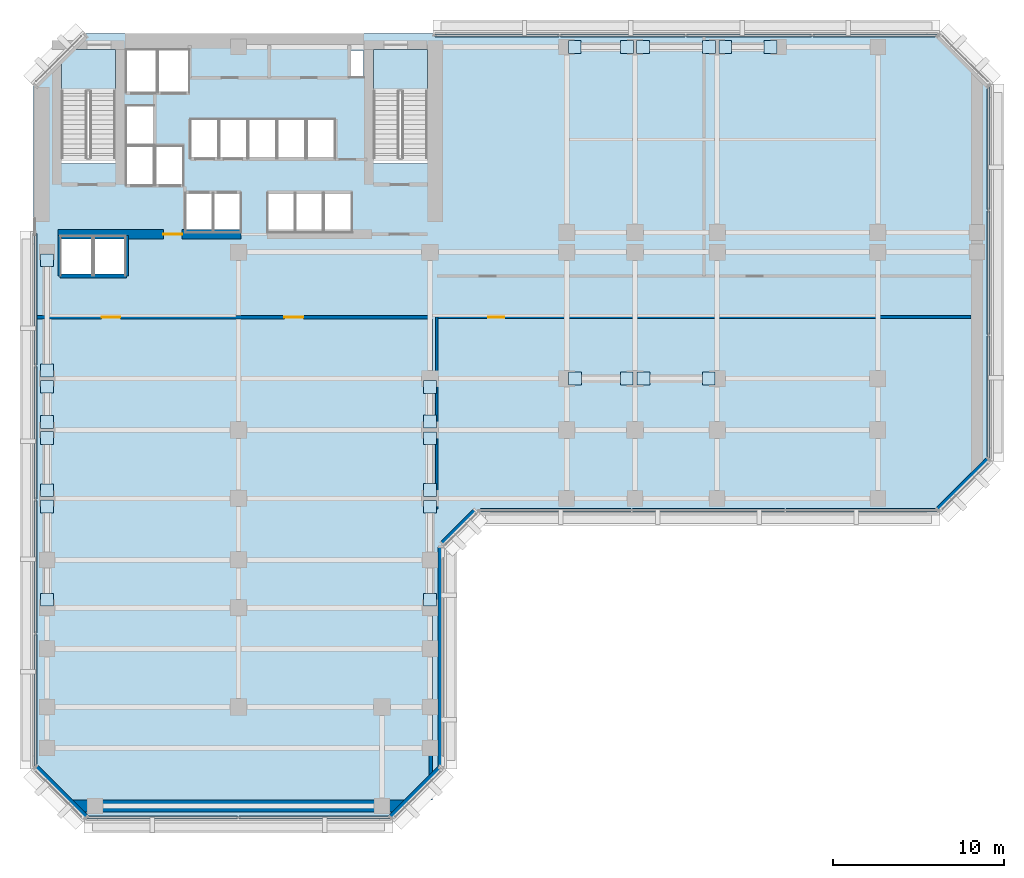
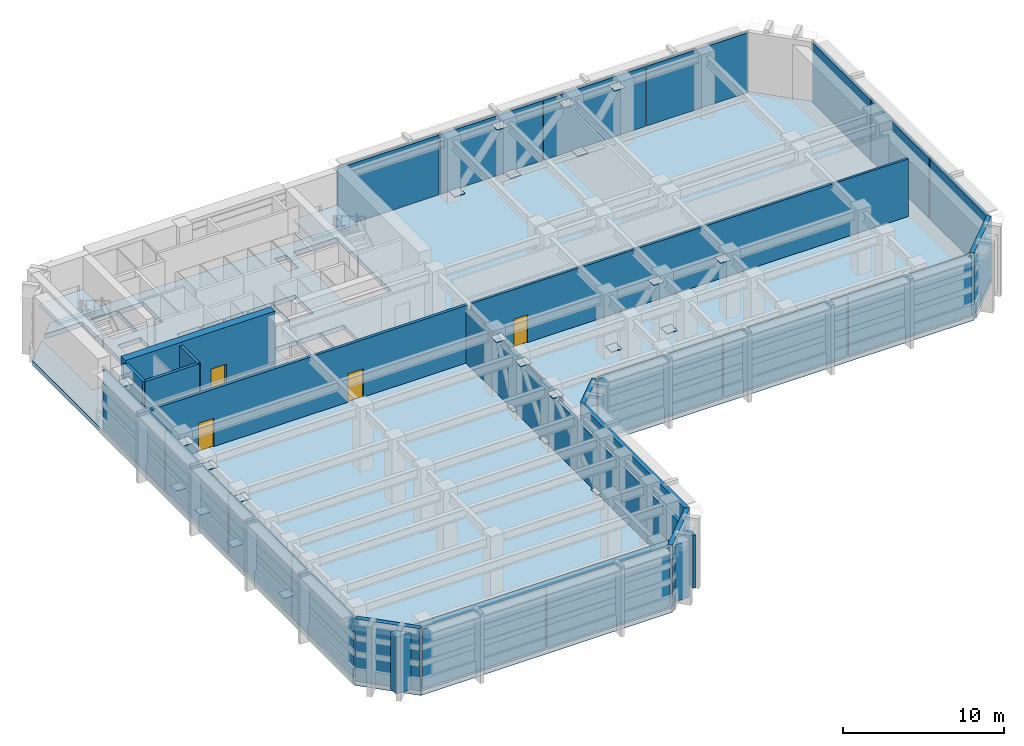
# One storey, part 6 of 13: 40 plates, 14 walls, 4 doors, 3 slabs, 4 openings, 7 elements without a shape of their own.
"""IFC4 building model written with IfcOpenShell, lengths in metres."""

from ifc_helpers import new_model, si_unit, direction, frame, frame_2d, origin, origin_2d, place, context, subcontext, project, spatial, polyline, rectangle, outline, extrude, material, layer, layer_set, type_object, element, fill, aggregate, save


model = new_model("IFC4")

# Units and contexts
model_context = context("Model", 3, precision=1e-05, world=origin(), true_north=direction((0.0, 1.0)))
body_context = subcontext(model_context, "Body", "Model", "MODEL_VIEW")
ifc_project = project(units=[si_unit("LENGTHUNIT", "METRE"), si_unit("AREAUNIT", "SQUARE_METRE"), si_unit("VOLUMEUNIT", "CUBIC_METRE"), si_unit("PLANEANGLEUNIT", "RADIAN"), si_unit("MASSUNIT", "GRAM", prefix="KILO")], contexts=[model_context])

# Site, building, storey
site_placement = place(None, origin())
site = spatial("IfcSite", under=ifc_project, at=site_placement, CompositionType="ELEMENT")
building_placement = place(site_placement, origin())
building = spatial("IfcBuilding", under=site, at=building_placement, Name="Kefirva Bronze Tower", CompositionType="ELEMENT")
storey_placement = place(building_placement, frame((0.0, 0.0, 93.719970703125)))
storey = spatial("IfcBuildingStorey", under=building, at=storey_placement, Name="L22", CompositionType="ELEMENT", Elevation=93.719970703125)

# Curtain wall, plates
ifc_material_1 = material(Name="Bronze anodised aluminium", Category="aluminium")
ifc_layer_1 = layer(ifc_material_1, 0.219970703125, Name="Bronze anodised aluminium")
ifc_layer_set_1 = layer_set([ifc_layer_1], Name="Bronze anodised aluminium")
curtain_wall_type = type_object("IfcCurtainWallType", Name="Refuge Acoustic Louvre Curtain Screen", PredefinedType="USERDEFINED", material=ifc_layer_set_1)
curtain_wall_1_placement = place(storey_placement, origin())
curtain_wall_1 = element("IfcCurtainWall", 1, at=curtain_wall_1_placement, inside=storey, type_object=curtain_wall_type, Name="L22 Curtain Wall 1", ObjectType="LOUVRE SCREEN WALL", PredefinedType="USERDEFINED")
ifc_layer_2 = layer(ifc_material_1, 0.179931640625, Name="Bronze anodised aluminium")
ifc_layer_set_2 = layer_set([ifc_layer_2], Name="Bronze anodised aluminium")
plate_type_1 = type_object("IfcPlateType", Name="Acoustic Weather Louvre Panel 180mm", PredefinedType="CURTAIN_PANEL", material=ifc_layer_set_2)
plate_1_placement = place(storey_placement, frame((7.550048828125, 0.1201171875, 0.090087890625), z_axis=(0.0, 0.0, 1.0), x_axis=(1.0, 0.0, 0.0)))
plate_1 = element("IfcPlate", 2, at=plate_1_placement, type_object=plate_type_1, Name="CW-06 panel 1.1", PredefinedType="CURTAIN_PANEL", context=body_context, shape_type="SweptSolid", body=[
    extrude(rectangle(XDim=8.81005859375, YDim=0.179931640625, at=origin_2d()), origin(), (0.0, 0.0, 1.0), 4.52001953125),
])
plate_2_placement = place(storey_placement, frame((16.449951171875, 0.1201171875, 0.090087890625), z_axis=(0.0, 0.0, 1.0), x_axis=(1.0, 0.0, 0.0)))
plate_2 = element("IfcPlate", 3, at=plate_2_placement, type_object=plate_type_1, Name="CW-06 panel 2.1", PredefinedType="CURTAIN_PANEL", context=body_context, shape_type="SweptSolid", body=[
    extrude(rectangle(XDim=8.81005859375, YDim=0.179931640625, at=origin_2d()), origin(), (0.0, 0.0, 1.0), 4.52001953125),
])
aggregate(curtain_wall_1, [plate_1, plate_2])

curtain_wall_2_placement = place(storey_placement, origin())
curtain_wall_2 = element("IfcCurtainWall", 4, at=curtain_wall_2_placement, inside=storey, type_object=curtain_wall_type, Name="L22 Curtain Wall 2", ObjectType="LOUVRE SCREEN WALL", PredefinedType="USERDEFINED")
plate_3_placement = place(storey_placement, frame((30.55908203125, 18.1201171875, 0.090087890625), z_axis=(0.0, 0.0, 1.0), x_axis=(1.0, 0.0, 0.0)))
plate_3 = element("IfcPlate", 5, at=plate_3_placement, type_object=plate_type_1, Name="CW-06 panel 1.1", PredefinedType="CURTAIN_PANEL", context=body_context, shape_type="SweptSolid", body=[
    extrude(rectangle(XDim=8.828369140625, YDim=0.179931640625, at=origin_2d()), origin(), (0.0, 0.0, 1.0), 4.52001953125),
])
plate_4_placement = place(storey_placement, frame((39.5, 18.1201171875, 0.090087890625), z_axis=(0.0, 0.0, 1.0), x_axis=(1.0, 0.0, 0.0)))
plate_4 = element("IfcPlate", 6, at=plate_4_placement, type_object=plate_type_1, Name="CW-06 panel 2.1", PredefinedType="CURTAIN_PANEL", context=body_context, shape_type="SweptSolid", body=[
    extrude(rectangle(XDim=8.873291015625, YDim=0.179931640625, at=origin_2d()), origin(), (0.0, 0.0, 1.0), 4.52001953125),
])
plate_5_placement = place(storey_placement, frame((48.44091796875, 18.1201171875, 0.090087890625), z_axis=(0.0, 0.0, 1.0), x_axis=(1.0, 0.0, 0.0)))
plate_5 = element("IfcPlate", 7, at=plate_5_placement, type_object=plate_type_1, Name="CW-06 panel 3.1", PredefinedType="CURTAIN_PANEL", context=body_context, shape_type="SweptSolid", body=[
    extrude(rectangle(XDim=8.828369140625, YDim=0.179931640625, at=origin_2d()), origin(), (0.0, 0.0, 1.0), 4.52001953125),
])
aggregate(curtain_wall_2, [plate_3, plate_4, plate_5])

curtain_wall_3_placement = place(storey_placement, origin())
curtain_wall_3 = element("IfcCurtainWall", 8, at=curtain_wall_3_placement, inside=storey, type_object=curtain_wall_type, Name="L22 Curtain Wall 3", ObjectType="LOUVRE SCREEN WALL", PredefinedType="USERDEFINED")
plate_6_placement = place(storey_placement, frame((55.8798828125, 24.725830078125, 0.090087890625), z_axis=(0.0, 0.0, 1.0), x_axis=(0.0, 1.0, 0.0)))
plate_6 = element("IfcPlate", 9, at=plate_6_placement, type_object=plate_type_1, Name="CW-06 panel 1.1", PredefinedType="CURTAIN_PANEL", context=body_context, shape_type="SweptSolid", body=[
    extrude(rectangle(XDim=7.16162109375, YDim=0.179931640625, at=origin_2d()), origin(), (0.0, 0.0, 1.0), 4.52001953125),
])
plate_7_placement = place(storey_placement, frame((55.8798828125, 32.0, 0.090087890625), z_axis=(0.0, 0.0, 1.0), x_axis=(0.0, 1.0, 0.0)))
plate_7 = element("IfcPlate", 10, at=plate_7_placement, type_object=plate_type_1, Name="CW-06 panel 2.1", PredefinedType="CURTAIN_PANEL", context=body_context, shape_type="SweptSolid", body=[
    extrude(rectangle(XDim=7.206787109375, YDim=0.179931640625, at=origin_2d()), origin(), (0.0, 0.0, 1.0), 4.52001953125),
])
plate_8_placement = place(storey_placement, frame((55.8798828125, 39.274169921875, 0.090087890625), z_axis=(0.0, 0.0, 1.0), x_axis=(0.0, 1.0, 0.0)))
plate_8 = element("IfcPlate", 11, at=plate_8_placement, type_object=plate_type_1, Name="CW-06 panel 3.1", PredefinedType="CURTAIN_PANEL", context=body_context, shape_type="SweptSolid", body=[
    extrude(rectangle(XDim=7.16162109375, YDim=0.179931640625, at=origin_2d()), origin(), (0.0, 0.0, 1.0), 4.52001953125),
])
aggregate(curtain_wall_3, [plate_6, plate_7, plate_8])

curtain_wall_4_placement = place(storey_placement, origin())
curtain_wall_4 = element("IfcCurtainWall", 12, at=curtain_wall_4_placement, inside=storey, type_object=curtain_wall_type, Name="L22 Curtain Wall 4", ObjectType="LOUVRE SCREEN WALL", PredefinedType="USERDEFINED")
plate_9_placement = place(storey_placement, frame((49.22998046875, 45.8798828125, 0.090087890625), z_axis=(0.0, 0.0, 1.0), x_axis=(-1.0, 0.0, 0.0)))
plate_9 = element("IfcPlate", 13, at=plate_9_placement, type_object=plate_type_1, Name="CW-06 panel 1.1", PredefinedType="CURTAIN_PANEL", context=body_context, shape_type="SweptSolid", body=[
    extrude(rectangle(XDim=7.25, YDim=0.179931640625, at=origin_2d()), origin(), (0.0, 0.0, 1.0), 4.52001953125),
])
plate_10_placement = place(storey_placement, frame((41.867431640625, 45.8798828125, 0.090087890625), z_axis=(0.0, 0.0, 1.0), x_axis=(-1.0, 0.0, 0.0)))
plate_10 = element("IfcPlate", 14, at=plate_10_placement, type_object=plate_type_1, Name="CW-06 panel 2.1", PredefinedType="CURTAIN_PANEL", context=body_context, shape_type="SweptSolid", body=[
    extrude(rectangle(XDim=7.294921875, YDim=0.179931640625, at=origin_2d()), origin(), (0.0, 0.0, 1.0), 4.52001953125),
])
plate_11_placement = place(storey_placement, frame((34.482421875, 45.8798828125, 0.090087890625), z_axis=(0.0, 0.0, 1.0), x_axis=(-1.0, 0.0, 0.0)))
plate_11 = element("IfcPlate", 15, at=plate_11_placement, type_object=plate_type_1, Name="CW-06 panel 3.1", PredefinedType="CURTAIN_PANEL", context=body_context, shape_type="SweptSolid", body=[
    extrude(rectangle(XDim=7.294921875, YDim=0.179931640625, at=origin_2d()), origin(), (0.0, 0.0, 1.0), 4.52001953125),
])
plate_12_placement = place(storey_placement, frame((27.1201171875, 45.8798828125, 0.090087890625), z_axis=(0.0, 0.0, 1.0), x_axis=(-1.0, 0.0, 0.0)))
plate_12 = element("IfcPlate", 16, at=plate_12_placement, type_object=plate_type_1, Name="CW-06 panel 4.1", PredefinedType="CURTAIN_PANEL", context=body_context, shape_type="SweptSolid", body=[
    extrude(rectangle(XDim=7.25, YDim=0.179931640625, at=origin_2d()), origin(), (0.0, 0.0, 1.0), 4.52001953125),
])
aggregate(curtain_wall_4, [plate_9, plate_10, plate_11, plate_12])

curtain_wall_5_placement = place(storey_placement, origin())
curtain_wall_5 = element("IfcCurtainWall", 17, at=curtain_wall_5_placement, inside=storey, type_object=curtain_wall_type, Name="L22 Curtain Wall 5", ObjectType="LOUVRE SCREEN WALL", PredefinedType="USERDEFINED")
plate_13_placement = place(storey_placement, frame((0.1201171875, 30.455078125, 0.090087890625), z_axis=(0.0, 0.0, 1.0), x_axis=(0.0, -1.0, 0.0)))
plate_13 = element("IfcPlate", 18, at=plate_13_placement, type_object=plate_type_1, Name="CW-06 panel 1.1", PredefinedType="CURTAIN_PANEL", context=body_context, shape_type="SweptSolid", body=[
    extrude(rectangle(XDim=7.699951171875, YDim=0.179931640625, at=origin_2d()), origin(), (0.0, 0.0, 1.0), 4.52001953125),
])
plate_14_placement = place(storey_placement, frame((0.1201171875, 22.642578125, 0.090087890625), z_axis=(0.0, 0.0, 1.0), x_axis=(0.0, -1.0, 0.0)))
plate_14 = element("IfcPlate", 19, at=plate_14_placement, type_object=plate_type_1, Name="CW-06 panel 2.1", PredefinedType="CURTAIN_PANEL", context=body_context, shape_type="SweptSolid", body=[
    extrude(rectangle(XDim=7.7451171875, YDim=0.179931640625, at=origin_2d()), origin(), (0.0, 0.0, 1.0), 4.52001953125),
])
plate_15_placement = place(storey_placement, frame((0.1201171875, 14.8076171875, 0.090087890625), z_axis=(0.0, 0.0, 1.0), x_axis=(0.0, -1.0, 0.0)))
plate_15 = element("IfcPlate", 20, at=plate_15_placement, type_object=plate_type_1, Name="CW-06 panel 3.1", PredefinedType="CURTAIN_PANEL", context=body_context, shape_type="SweptSolid", body=[
    extrude(rectangle(XDim=7.7451171875, YDim=0.179931640625, at=origin_2d()), origin(), (0.0, 0.0, 1.0), 4.52001953125),
])
plate_16_placement = place(storey_placement, frame((0.1201171875, 6.9951171875, 0.090087890625), z_axis=(0.0, 0.0, 1.0), x_axis=(0.0, -1.0, 0.0)))
plate_16 = element("IfcPlate", 21, at=plate_16_placement, type_object=plate_type_1, Name="CW-06 panel 4.1", PredefinedType="CURTAIN_PANEL", context=body_context, shape_type="SweptSolid", body=[
    extrude(rectangle(XDim=7.699951171875, YDim=0.179931640625, at=origin_2d()), origin(), (0.0, 0.0, 1.0), 4.52001953125),
])
aggregate(curtain_wall_5, [plate_13, plate_14, plate_15, plate_16])

# Slab
ifc_material_2 = material(Name="Concrete C50/60", Category="concrete")
ifc_layer_3 = layer(ifc_material_2, 0.35009765625, Name="Concrete C50/60")
ifc_layer_set_3 = layer_set([ifc_layer_3], Name="Concrete C50/60")
slab_type_1 = type_object("IfcSlabType", Name="RC Refuge Plant Slab 350mm", PredefinedType="FLOOR", material=ifc_layer_set_3)
slab_1_placement = place(storey_placement, frame((0.0, 0.0, -0.349853515625)))
element("IfcSlab", 22, at=slab_1_placement, inside=storey, type_object=slab_type_1, Name="L22 Structural Floor Slab", PredefinedType="FLOOR", context=body_context, shape_type="SweptSolid", body=[
    extrude(outline(polyline([(0.0, 3.0), (0.0, 43.0), (1.64990234375, 44.64990234375), (1.64990234375, 38.39990234375), (4.800048828125, 38.39990234375), (4.800048828125, 45.050048828125), (2.050048828125, 45.050048828125), (3.0, 46.0), (53.0, 46.0), (56.0, 43.0), (56.0, 21.0), (53.0, 18.0), (26.0, 18.0), (24.0, 16.0), (24.0, 3.0), (21.0, 0.0), (3.0, 0.0), (0.0, 3.0)]), holes=[polyline([(19.89990234375, 38.39990234375), (23.050048828125, 38.39990234375), (23.050048828125, 45.050048828125), (19.89990234375, 45.050048828125), (19.89990234375, 38.39990234375)]), polyline([(18.52001953125, 43.419921875), (19.320068359375, 43.419921875), (19.320068359375, 45.0), (18.52001953125, 45.0), (18.52001953125, 43.419921875)]), polyline([(17.0, 34.35009765625), (18.64990234375, 34.35009765625), (18.64990234375, 36.64990234375), (17.0, 36.64990234375), (17.0, 34.35009765625)]), polyline([(17.64990234375, 38.679931640625), (17.64990234375, 40.97998046875), (16.0, 40.97998046875), (16.0, 38.679931640625), (17.64990234375, 38.679931640625)]), polyline([(16.949951171875, 34.35009765625), (16.949951171875, 36.64990234375), (15.35009765625, 36.64990234375), (15.35009765625, 34.35009765625), (16.949951171875, 34.35009765625)]), polyline([(15.929931640625, 38.679931640625), (15.929931640625, 40.97998046875), (14.300048828125, 40.97998046875), (14.300048828125, 38.679931640625), (15.929931640625, 38.679931640625)]), polyline([(15.300048828125, 34.35009765625), (15.300048828125, 36.64990234375), (13.699951171875, 36.64990234375), (13.699951171875, 34.35009765625), (15.300048828125, 34.35009765625)]), polyline([(14.22998046875, 38.679931640625), (14.22998046875, 40.97998046875), (12.60009765625, 40.97998046875), (12.60009765625, 38.679931640625), (14.22998046875, 38.679931640625)]), polyline([(10.89990234375, 38.679931640625), (12.530029296875, 38.679931640625), (12.530029296875, 40.97998046875), (10.89990234375, 40.97998046875), (10.89990234375, 38.679931640625)]), polyline([(12.139892578125, 34.35009765625), (12.139892578125, 36.64990234375), (10.5400390625, 36.64990234375), (10.5400390625, 34.35009765625), (12.139892578125, 34.35009765625)]), polyline([(10.830078125, 38.679931640625), (10.830078125, 40.97998046875), (9.199951171875, 40.97998046875), (9.199951171875, 38.679931640625), (10.830078125, 38.679931640625)]), polyline([(10.5, 34.35009765625), (10.5, 36.64990234375), (8.89990234375, 36.64990234375), (8.89990234375, 34.35009765625), (10.5, 34.35009765625)]), polyline([(7.300048828125, 42.550048828125), (9.1201171875, 42.550048828125), (9.1201171875, 45.050048828125), (7.300048828125, 45.050048828125), (7.300048828125, 42.550048828125)]), polyline([(7.139892578125, 37.10009765625), (8.780029296875, 37.10009765625), (8.780029296875, 39.39990234375), (7.139892578125, 39.39990234375), (7.139892578125, 37.10009765625)]), polyline([(5.419921875, 42.550048828125), (7.239990234375, 42.550048828125), (7.239990234375, 45.050048828125), (5.419921875, 45.050048828125), (5.419921875, 42.550048828125)]), polyline([(7.06005859375, 39.47998046875), (7.06005859375, 41.780029296875), (5.419921875, 41.780029296875), (5.419921875, 39.47998046875), (7.06005859375, 39.47998046875)]), polyline([(5.419921875, 37.10009765625), (7.06005859375, 37.10009765625), (7.06005859375, 39.39990234375), (5.419921875, 39.39990234375), (5.419921875, 37.10009765625)]), polyline([(5.39990234375, 31.85009765625), (5.39990234375, 34.14990234375), (3.550048828125, 34.14990234375), (3.550048828125, 31.85009765625), (5.39990234375, 31.85009765625)]), polyline([(3.449951171875, 31.85009765625), (3.449951171875, 34.14990234375), (1.60009765625, 34.14990234375), (1.60009765625, 31.85009765625), (3.449951171875, 31.85009765625)])]), origin(), (0.0, 0.0, 1.0), 0.349853515625),
])

# Stair, slab
ifc_material_3 = material(Name="Concrete C40/50", Category="concrete")
stair_type = type_object("IfcStairType", Name="RC Dogleg Protected Stair 24R", PredefinedType="HALF_TURN_STAIR", material=ifc_material_3)
stair_1_placement = place(storey_placement, origin())
stair_1 = element("IfcStair", 23, at=stair_1_placement, inside=storey, type_object=stair_type, Name="L22 Protected Exit Stair 1", PredefinedType="HALF_TURN_STAIR")
ifc_layer_4 = layer(ifc_material_3, 0.199951171875, Name="Concrete C40/50")
ifc_layer_set_4 = layer_set([ifc_layer_4], Name="Concrete C40/50")
slab_type_2 = type_object("IfcSlabType", Name="RC Stair Landing Slab 200mm", PredefinedType="LANDING", material=ifc_layer_set_4)
slab_2_placement = place(storey_placement, frame((0.0, 0.0, 2.275146484375)))
slab_2 = element("IfcSlab", 24, at=slab_2_placement, type_object=slab_type_2, Name="ST-1 landing 1", PredefinedType="LANDING", context=body_context, shape_type="SweptSolid", body=[
    extrude(outline(polyline([(4.800048828125, 42.6201171875), (4.800048828125, 45.050048828125), (1.64990234375, 45.050048828125), (1.64990234375, 42.6201171875), (4.800048828125, 42.6201171875)])), origin(), (0.0, 0.0, 1.0), 0.199951171875),
])
aggregate(stair_1, [slab_2])

stair_2_placement = place(storey_placement, origin())
stair_2 = element("IfcStair", 25, at=stair_2_placement, inside=storey, type_object=stair_type, Name="L22 Protected Exit Stair 2", PredefinedType="HALF_TURN_STAIR")
slab_3_placement = place(storey_placement, frame((0.0, 0.0, 2.275146484375)))
slab_3 = element("IfcSlab", 26, at=slab_3_placement, type_object=slab_type_2, Name="ST-2 landing 1", PredefinedType="LANDING", context=body_context, shape_type="SweptSolid", body=[
    extrude(outline(polyline([(23.050048828125, 42.6201171875), (23.050048828125, 45.050048828125), (19.89990234375, 45.050048828125), (19.89990234375, 42.6201171875), (23.050048828125, 42.6201171875)])), origin(), (0.0, 0.0, 1.0), 0.199951171875),
])
aggregate(stair_2, [slab_3])

# Plates
ifc_material_4 = material(Name="Steel S460", Category="steel")
ifc_layer_5 = layer(ifc_material_4, 0.0400390625, Name="Steel S460")
ifc_layer_set_5 = layer_set([ifc_layer_5], Name="Steel S460")
plate_type_2 = type_object("IfcPlateType", Name="Steel Node Gusset Plate 40mm", PredefinedType="USERDEFINED", material=ifc_layer_set_5)
for number, where, z_axis, x_axis, name in (
    (27, (0.800048828125, 12.8701171875, 0.280029296875), (0.0, 0.0, 1.0), (1.0, 0.0, 0.0), "L22 Belt Node Gusset 1-1"),
    (28, (0.800048828125, 18.330078125, 4.280029296875), (0.0, 0.0, 1.0), (1.0, 0.0, 0.0), "L22 Belt Node Gusset 1-2"),
    (29, (0.800048828125, 19.27001953125, 0.280029296875), (0.0, 0.0, 1.0), (1.0, 0.0, 0.0), "L22 Belt Node Gusset 2-1"),
    (30, (0.800048828125, 22.330078125, 4.280029296875), (0.0, 0.0, 1.0), (1.0, 0.0, 0.0), "L22 Belt Node Gusset 2-2"),
    (31, (0.800048828125, 23.27001953125, 0.280029296875), (0.0, 0.0, 1.0), (1.0, 0.0, 0.0), "L22 Belt Node Gusset 3-1"),
    (32, (0.800048828125, 25.330078125, 4.280029296875), (0.0, 0.0, 1.0), (1.0, 0.0, 0.0), "L22 Belt Node Gusset 3-2"),
    (33, (0.800048828125, 26.27001953125, 0.280029296875), (0.0, 0.0, 1.0), (1.0, 0.0, 0.0), "L22 Belt Node Gusset 4-1"),
    (34, (0.800048828125, 32.72998046875, 4.280029296875), (0.0, 0.0, 1.0), (1.0, 0.0, 0.0), "L22 Belt Node Gusset 4-2"),
    (35, (23.199951171875, 12.8701171875, 0.280029296875), (0.0, 0.0, 1.0), (1.0, 0.0, 0.0), "L22 Belt Node Gusset 5-1"),
    (36, (23.199951171875, 18.31005859375, 4.280029296875), (0.0, 0.0, 1.0), (1.0, 0.0, 0.0), "L22 Belt Node Gusset 5-2"),
    (37, (23.199951171875, 19.2900390625, 0.280029296875), (0.0, 0.0, 1.0), (1.0, 0.0, 0.0), "L22 Belt Node Gusset 6-1"),
    (38, (23.199951171875, 22.31005859375, 4.280029296875), (0.0, 0.0, 1.0), (1.0, 0.0, 0.0), "L22 Belt Node Gusset 6-2"),
    (39, (23.199951171875, 23.2900390625, 0.280029296875), (0.0, 0.0, 1.0), (1.0, 0.0, 0.0), "L22 Belt Node Gusset 7-1"),
    (40, (23.199951171875, 25.31005859375, 4.280029296875), (0.0, 0.0, 1.0), (1.0, 0.0, 0.0), "L22 Belt Node Gusset 7-2"),
    (41, (31.68994140625, 25.800048828125, 0.280029296875), (0.0, 0.0, 1.0), (1.0, 0.0, 0.0), "L22 Belt Node Gusset 8-1"),
    (42, (34.7099609375, 25.800048828125, 4.280029296875), (0.0, 0.0, 1.0), (1.0, 0.0, 0.0), "L22 Belt Node Gusset 8-2"),
    (43, (35.68994140625, 25.800048828125, 0.280029296875), (0.0, 0.0, 1.0), (1.0, 0.0, 0.0), "L22 Belt Node Gusset 9-1"),
    (44, (39.510009765625, 25.800048828125, 4.280029296875), (0.0, 0.0, 1.0), (1.0, 0.0, 0.0), "L22 Belt Node Gusset 9-2"),
    (45, (31.669921875, 45.199951171875, 0.280029296875), (0.0, 0.0, 1.0), (1.0, 0.0, 0.0), "L22 Belt Node Gusset 10-1"),
    (46, (34.72998046875, 45.199951171875, 4.280029296875), (0.0, 0.0, 1.0), (1.0, 0.0, 0.0), "L22 Belt Node Gusset 10-2"),
    (47, (35.669921875, 45.199951171875, 0.280029296875), (0.0, 0.0, 1.0), (1.0, 0.0, 0.0), "L22 Belt Node Gusset 11-1"),
    (48, (39.530029296875, 45.199951171875, 4.280029296875), (0.0, 0.0, 1.0), (1.0, 0.0, 0.0), "L22 Belt Node Gusset 11-2"),
    (49, (40.469970703125, 45.199951171875, 0.280029296875), (0.0, 0.0, 1.0), (1.0, 0.0, 0.0), "L22 Belt Node Gusset 12-1"),
    (50, (43.1298828125, 45.199951171875, 4.280029296875), (0.0, 0.0, 1.0), (1.0, 0.0, 0.0), "L22 Belt Node Gusset 12-2"),
):
    element("IfcPlate", number, at=place(storey_placement, frame(where, z_axis=z_axis, x_axis=x_axis)), inside=storey, type_object=plate_type_2, Name=name, ObjectType="GUSSET PLATE", PredefinedType="USERDEFINED", context=body_context, shape_type="SweptSolid", body=[
        extrude(rectangle(XDim=0.75, YDim=0.75, at=origin_2d()), origin(), (0.0, 0.0, 1.0), 0.0400390625),
    ])

# Walls
ifc_material_5 = material(Name="Gypsum fireboard shaftwall")
ifc_layer_6 = layer(ifc_material_5, 0.219970703125, Name="Gypsum fireboard shaftwall")
ifc_layer_set_6 = layer_set([ifc_layer_6], Name="Gypsum fireboard shaftwall")
wall_type_1 = type_object("IfcWallType", Name="Fire-Rated Shaft Enclosure Wall 220mm", PredefinedType="PARTITIONING", material=ifc_layer_set_6)
wall_1_placement = place(storey_placement, frame((1.550048828125, 31.800048828125, 0.0), z_axis=(0.0, 0.0, 1.0), x_axis=(1.0, 0.0, 0.0)))
element("IfcWall", 51, at=wall_1_placement, inside=storey, type_object=wall_type_1, Name="L22 Partition W-L22-OBS", PredefinedType="PARTITIONING", context=body_context, shape_type="SweptSolid", body=[
    extrude(rectangle(XDim=3.89990234375, YDim=0.219970703125, at=frame_2d((1.949951171875, 0.0))), origin(), (0.0, 0.0, 1.0), 4.699951171875),
])
for number, where, z_axis, x_axis, name in (
    (52, (1.550048828125, 31.800048828125, 0.0), (0.0, 0.0, 1.0), (0.0, 1.0, 0.0), "L22 Partition W-L22-OBW"),
    (53, (5.449951171875, 31.800048828125, 0.0), (0.0, 0.0, 1.0), (0.0, 1.0, 0.0), "L22 Partition W-L22-OBE"),
):
    element("IfcWall", number, at=place(storey_placement, frame(where, z_axis=z_axis, x_axis=x_axis)), inside=storey, type_object=wall_type_1, Name=name, PredefinedType="PARTITIONING", context=body_context, shape_type="SweptSolid", body=[
        extrude(rectangle(XDim=2.3798828125, YDim=0.219970703125, at=frame_2d((1.18994140625, 0.0))), origin(), (0.0, 0.0, 1.0), 4.699951171875),
    ])

# Wall, openings, doors
ifc_material_6 = material(Name="Gypsum fireboard barrier")
ifc_layer_7 = layer(ifc_material_6, 0.199951171875, Name="Gypsum fireboard barrier")
ifc_layer_set_7 = layer_set([ifc_layer_7], Name="Gypsum fireboard barrier")
wall_type_2 = type_object("IfcWallType", Name="Firefighting Lobby Barrier Wall 200mm", PredefinedType="PARTITIONING", material=ifc_layer_set_7)
wall_2_placement = place(storey_placement, frame((0.18994140625, 29.39990234375, 0.0), z_axis=(0.0, 0.0, 1.0), x_axis=(1.0, 0.0, 0.0)))
wall_2 = element("IfcWall", 54, at=wall_2_placement, inside=storey, type_object=wall_type_2, Name="L22 Partition W-L22-REFS", PredefinedType="PARTITIONING", context=body_context, shape_type="SweptSolid", body=[
    extrude(rectangle(XDim=23.06005859375, YDim=0.199951171875, at=frame_2d((11.530029296875, 0.0))), origin(), (0.0, 0.0, 1.0), 4.35498046875),
])
opening_1_placement = place(wall_2_placement, frame((3.800048828125, 0.0, 0.0)))
opening_1 = element("IfcOpeningElement", 55, at=opening_1_placement, cuts=wall_2, Name="Opening L22-D-REF1", PredefinedType="OPENING", context=body_context, shape_type="SweptSolid", body=[
    extrude(rectangle(XDim=1.10009765625, YDim=2.14990234375, at=frame_2d((0.550048828125, 1.074951171875))), frame((0.0, 0.10986328125, 0.0), z_axis=(0.0, -1.0, 0.0), x_axis=(1.0, 0.0, 0.0)), (0.0, 0.0, 1.0), 0.219970703125),
])
opening_2_placement = place(wall_2_placement, frame((14.5, 0.0, 0.0)))
opening_2 = element("IfcOpeningElement", 56, at=opening_2_placement, cuts=wall_2, Name="Opening L22-D-REF2", PredefinedType="OPENING", context=body_context, shape_type="SweptSolid", body=[
    extrude(rectangle(XDim=1.10009765625, YDim=2.14990234375, at=frame_2d((0.550048828125, 1.074951171875))), frame((0.0, 0.10986328125, 0.0), z_axis=(0.0, -1.0, 0.0), x_axis=(1.0, 0.0, 0.0)), (0.0, 0.0, 1.0), 0.219970703125),
])
ifc_material_7 = material(Name="Painted galvanized steel", Category="steel")
door_type_1 = type_object("IfcDoorType", Name="Firefighting Lobby Smoke Door 1100x2150 FD60S", OperationType="NOTDEFINED", PredefinedType="DOOR", material=ifc_material_7)
door_1_placement = place(opening_1_placement, origin())
door_1 = element("IfcDoor", 57, at=door_1_placement, inside=storey, type_object=door_type_1, Name="Door L22-D-REF1", OperationType="SINGLE_SWING_LEFT", OverallHeight=2.14990234375, OverallWidth=1.10009765625, PredefinedType="DOOR", context=body_context, shape_type="SweptSolid", body=[
    extrude(rectangle(XDim=1.10009765625, YDim=2.14990234375, at=frame_2d((0.550048828125, 1.074951171875))), frame((0.0, 0.02490234375, 0.0), z_axis=(0.0, -1.0, 0.0), x_axis=(1.0, 0.0, 0.0)), (0.0, 0.0, 1.0), 0.050048828125),
])
fill(opening_1, door_1)
door_2_placement = place(opening_2_placement, origin())
door_2 = element("IfcDoor", 58, at=door_2_placement, inside=storey, type_object=door_type_1, Name="Door L22-D-REF2", OperationType="SINGLE_SWING_RIGHT", OverallHeight=2.14990234375, OverallWidth=1.10009765625, PredefinedType="DOOR", context=body_context, shape_type="SweptSolid", body=[
    extrude(rectangle(XDim=1.10009765625, YDim=2.14990234375, at=frame_2d((0.550048828125, 1.074951171875))), frame((0.0, 0.02490234375, 0.0), z_axis=(0.0, -1.0, 0.0), x_axis=(1.0, 0.0, 0.0)), (0.0, 0.0, 1.0), 0.050048828125),
])
fill(opening_2, door_2)

# Walls
wall_3_placement = place(storey_placement, frame((23.25, 1.14990234375, 0.0), z_axis=(0.0, 0.0, 1.0), x_axis=(0.0, 1.0, 0.0)))
element("IfcWall", 59, at=wall_3_placement, inside=storey, type_object=wall_type_2, Name="L22 Partition W-L22-REFE", PredefinedType="PARTITIONING", context=body_context, shape_type="SweptSolid", body=[
    extrude(rectangle(XDim=28.150146484375, YDim=0.199951171875, at=frame_2d((14.0751953125, 0.0))), origin(), (0.0, 0.0, 1.0), 3.985107421875),
])
ifc_material_8 = material(Name="Precast concrete C40/50", Category="concrete")
ifc_layer_8 = layer(ifc_material_8, 0.320068359375, Name="Precast concrete C40/50")
ifc_layer_set_8 = layer_set([ifc_layer_8], Name="Precast concrete C40/50")
wall_type_3 = type_object("IfcWallType", Name="Precast Insulated Exterior Wall 320mm", PredefinedType="SOLIDWALL", material=ifc_layer_set_8)
wall_4_placement = place(storey_placement, frame((20.92578125, 0.152099609375, 0.0), z_axis=(0.0, 0.0, 1.0), x_axis=(0.707106781187, 0.707106781187, 0.0)))
element("IfcWall", 60, at=wall_4_placement, inside=storey, type_object=wall_type_3, Name="L22 Exterior Facade Wall 1", PredefinedType="SOLIDWALL", context=body_context, shape_type="SweptSolid", body=[
    extrude(rectangle(XDim=4.132568359375, YDim=0.320068359375, at=frame_2d((2.06640625, 0.0))), origin(), (0.0, 0.0, 1.0), 4.699951171875),
])
wall_5_placement = place(storey_placement, frame((23.840087890625, 3.054931640625, 0.0), z_axis=(0.0, 0.0, 1.0), x_axis=(0.0, 1.0, 0.0)))
element("IfcWall", 61, at=wall_5_placement, inside=storey, type_object=wall_type_3, Name="L22 Exterior Facade Wall 2", PredefinedType="SOLIDWALL", context=body_context, shape_type="SweptSolid", body=[
    extrude(rectangle(XDim=12.89013671875, YDim=0.320068359375, at=frame_2d((6.445068359375, 0.0))), origin(), (0.0, 0.0, 1.0), 4.699951171875),
])
wall_6_placement = place(storey_placement, frame((23.92578125, 16.152099609375, 0.0), z_axis=(0.0, 0.0, 1.0), x_axis=(0.707106781187, 0.707106781187, 0.0)))
element("IfcWall", 62, at=wall_6_placement, inside=storey, type_object=wall_type_3, Name="L22 Exterior Facade Wall 3", PredefinedType="SOLIDWALL", context=body_context, shape_type="SweptSolid", body=[
    extrude(rectangle(XDim=2.71826171875, YDim=0.320068359375, at=frame_2d((1.359130859375, 0.0))), origin(), (0.0, 0.0, 1.0), 4.699951171875),
])
for number, where, z_axis, x_axis, name in (
    (63, (52.92578125, 18.152099609375, 0.0), (0.0, 0.0, 1.0), (0.707106781187, 0.707106781187, 0.0), "L22 Exterior Facade Wall 4"),
    (64, (0.152099609375, 3.07421875, 0.0), (0.0, 0.0, 1.0), (0.707106781187, -0.707106781187, 0.0), "L22 Exterior Facade Wall 7"),
):
    element("IfcWall", number, at=place(storey_placement, frame(where, z_axis=z_axis, x_axis=x_axis)), inside=storey, type_object=wall_type_3, Name=name, PredefinedType="SOLIDWALL", context=body_context, shape_type="SweptSolid", body=[
        extrude(rectangle(XDim=4.132568359375, YDim=0.320068359375, at=frame_2d((2.06640625, 0.0))), origin(), (0.0, 0.0, 1.0), 4.699951171875),
    ])

# Wall, opening, door
ifc_material_9 = material(Name="Gypsum acoustic partition")
ifc_layer_9 = layer(ifc_material_9, 0.159912109375, Name="Gypsum acoustic partition")
ifc_layer_set_9 = layer_set([ifc_layer_9], Name="Gypsum acoustic partition")
wall_type_4 = type_object("IfcWallType", Name="Protected Corridor Partition 160mm", PredefinedType="PARTITIONING", material=ifc_layer_set_9)
wall_7_placement = place(storey_placement, frame((23.60009765625, 29.39990234375, 0.0), z_axis=(0.0, 0.0, 1.0), x_axis=(1.0, 0.0, 0.0)))
wall_7 = element("IfcWall", 65, at=wall_7_placement, inside=storey, type_object=wall_type_4, Name="L22 Partition W-L22-PLTS", PredefinedType="PARTITIONING", context=body_context, shape_type="SweptSolid", body=[
    extrude(rectangle(XDim=31.25, YDim=0.159912109375, at=frame_2d((15.625, 0.0))), origin(), (0.0, 0.0, 1.0), 4.35498046875),
])
opening_3_placement = place(wall_7_placement, frame((3.0, 0.0, 0.0)))
opening_3 = element("IfcOpeningElement", 66, at=opening_3_placement, cuts=wall_7, Name="Opening L22-D-BMS", PredefinedType="OPENING", context=body_context, shape_type="SweptSolid", body=[
    extrude(rectangle(XDim=0.949951171875, YDim=2.10009765625, at=frame_2d((0.47509765625, 1.050048828125))), frame((0.0, 0.08984375, 0.0), z_axis=(0.0, -1.0, 0.0), x_axis=(1.0, 0.0, 0.0)), (0.0, 0.0, 1.0), 0.179931640625),
])
door_type_2 = type_object("IfcDoorType", Name="Riser & Plant Shaft Fire Door 950x2100 FD60S", OperationType="NOTDEFINED", PredefinedType="DOOR", material=ifc_material_7)
door_3_placement = place(opening_3_placement, origin())
door_3 = element("IfcDoor", 67, at=door_3_placement, inside=storey, type_object=door_type_2, Name="Door L22-D-BMS", OperationType="SINGLE_SWING_LEFT", OverallHeight=2.10009765625, OverallWidth=0.949951171875, PredefinedType="DOOR", context=body_context, shape_type="SweptSolid", body=[
    extrude(rectangle(XDim=0.949951171875, YDim=2.10009765625, at=frame_2d((0.47509765625, 1.050048828125))), frame((0.0, 0.02490234375, 0.0), z_axis=(0.0, -1.0, 0.0), x_axis=(1.0, 0.0, 0.0)), (0.0, 0.0, 1.0), 0.050048828125),
])
fill(opening_3, door_3)

# Wall
wall_8_placement = place(storey_placement, frame((23.60009765625, 18.18994140625, 0.0), z_axis=(0.0, 0.0, 1.0), x_axis=(0.0, 1.0, 0.0)))
element("IfcWall", 68, at=wall_8_placement, inside=storey, type_object=wall_type_4, Name="L22 Partition W-L22-PLTSW", PredefinedType="PARTITIONING", context=body_context, shape_type="SweptSolid", body=[
    extrude(rectangle(XDim=11.2099609375, YDim=0.159912109375, at=frame_2d((5.60498046875, 0.0))), origin(), (0.0, 0.0, 1.0), 3.985107421875),
])

# Wall, opening, door
ifc_material_10 = material(Name="Concrete C60/75", Category="concrete")
ifc_layer_10 = layer(ifc_material_10, 0.89990234375, Name="Concrete C60/75")
ifc_layer_set_10 = layer_set([ifc_layer_10], Name="Concrete C60/75")
wall_type_5 = type_object("IfcWallType", Name="RC Rear Core Interior Wall 900mm", PredefinedType="SHEAR", material=ifc_layer_set_10)
wall_9_placement = place(storey_placement, frame((1.449951171875, 34.25, 0.0), z_axis=(0.0, 0.0, 1.0), x_axis=(1.0, 0.0, 0.0)))
wall_9 = element("IfcWall", 69, at=wall_9_placement, inside=storey, type_object=wall_type_5, Name="L22 Rear Core South-West Shear Wall", PredefinedType="SHEAR", context=body_context, shape_type="SweptSolid", body=[
    extrude(rectangle(XDim=10.7099609375, YDim=0.550048828125, at=frame_2d((5.35498046875, 0.0))), origin(), (0.0, 0.0, 1.0), 4.949951171875),
])
opening_4_placement = place(wall_9_placement, frame((7.25, 0.0, 0.0), z_axis=(0.0, 0.0, 1.0), x_axis=(-1.0, 0.0, 0.0)))
opening_4 = element("IfcOpeningElement", 70, at=opening_4_placement, cuts=wall_9, Name="Opening L22-D002", PredefinedType="OPENING", context=body_context, shape_type="SweptSolid", body=[
    extrude(rectangle(XDim=1.10009765625, YDim=2.14990234375, at=frame_2d((0.550048828125, 1.074951171875))), frame((0.0, 0.28515625, 0.0), z_axis=(0.0, -1.0, 0.0), x_axis=(1.0, 0.0, 0.0)), (0.0, 0.0, 1.0), 0.570068359375),
])
door_4_placement = place(opening_4_placement, origin())
door_4 = element("IfcDoor", 71, at=door_4_placement, inside=storey, type_object=door_type_1, Name="Door L22-D002", OperationType="SINGLE_SWING_LEFT", OverallHeight=2.14990234375, OverallWidth=1.10009765625, PredefinedType="DOOR", context=body_context, shape_type="SweptSolid", body=[
    extrude(rectangle(XDim=1.10009765625, YDim=2.14990234375, at=frame_2d((0.550048828125, 1.074951171875))), frame((0.0, 0.02490234375, 0.0), z_axis=(0.0, -1.0, 0.0), x_axis=(1.0, 0.0, 0.0)), (0.0, 0.0, 1.0), 0.050048828125),
])
fill(opening_4, door_4)

# Wall
ifc_layer_11 = layer(ifc_material_10, 0.699951171875, Name="Concrete C60/75")
ifc_layer_set_11 = layer_set([ifc_layer_11], Name="Concrete C60/75")
wall_type_6 = type_object("IfcWallType", Name="RC Refuge Perimeter Belt Wall 700mm", PredefinedType="SHEAR", material=ifc_layer_set_11)
wall_10_placement = place(storey_placement, frame((1.5, 0.800048828125, 0.0), z_axis=(0.0, 0.0, 1.0), x_axis=(1.0, 0.0, 0.0)))
element("IfcWall", 72, at=wall_10_placement, inside=storey, type_object=wall_type_6, Name="L22 South Perimeter Belt Shear Wall", PredefinedType="SHEAR", context=body_context, shape_type="SweptSolid", body=[
    extrude(rectangle(XDim=21.0, YDim=0.699951171875, at=frame_2d((10.5, 0.0))), origin(), (0.0, 0.0, 1.0), 4.300048828125),
])

save(model, "model.ifc")
